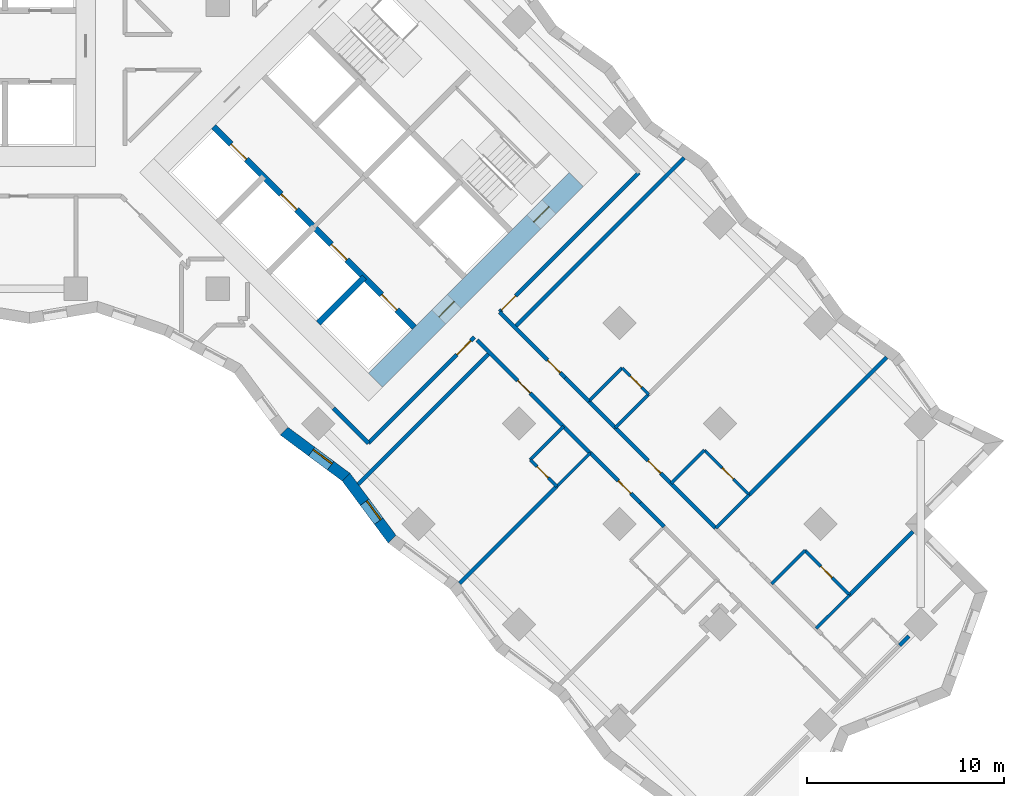
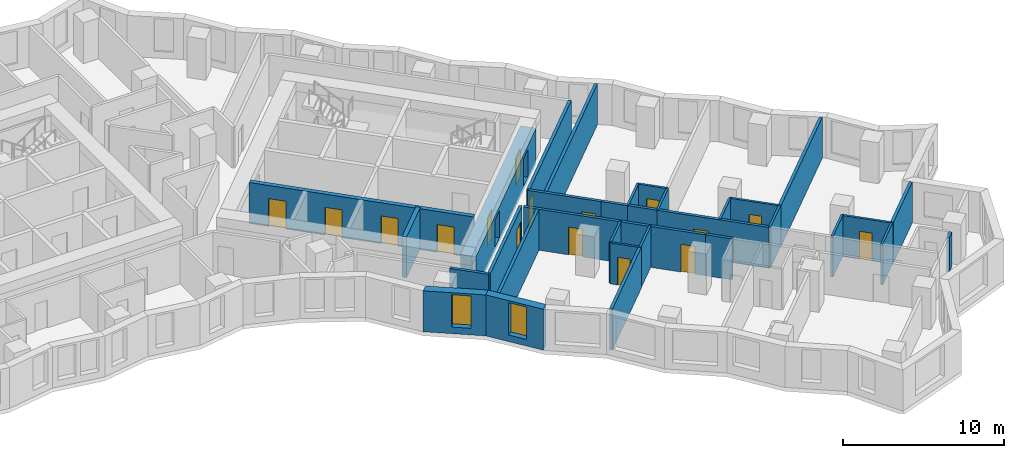
# One storey, part 8 of 12: 33 walls, 16 doors, 2 windows, 18 openings.
"""IFC4 building model written with IfcOpenShell, lengths in metres."""

import ifcopenshell
import ifcopenshell.guid

model = None  # the IFC model being written
_history = None  # IfcOwnerHistory: only IFC2X3 demands one
_inside = {}  # id of a spatial element -> (the spatial element, [elements in it])
_under = {}  # id of a project, library or spatial element -> (it, [spatial elements below it])
_declared = {}  # id of a project -> (the project, [libraries it declares])
_typed = {}  # id of a type object -> (the type object, [elements of that type])
_made_of = {}  # id of a material, layer set ... -> (it, [elements and type objects made of it])


def new_model(schema):
    """Start an empty IFC model of exactly this schema.

    Asked for "IFC4X3", IfcOpenShell would pick the latest addendum, in which some entities
    have other attributes; the version numbers below select the first issue.
    IFC2X3 requires an IfcOwnerHistory on every rooted entity: one is made here for all.
    """
    global model, _history
    if schema == "IFC4X3":
        model = ifcopenshell.file(schema_version=(4, 3, 0, 0))
    else:
        model = ifcopenshell.file(schema=schema)
    _inside.clear()
    _under.clear()
    _declared.clear()
    _typed.clear()
    _made_of.clear()
    _history = None
    if model.schema == "IFC2X3":
        org = make("IfcOrganization", Name="unknown")
        user = make(
            "IfcPersonAndOrganization",
            ThePerson=make("IfcPerson", FamilyName="unknown"),
            TheOrganization=org,
        )
        app = make(
            "IfcApplication",
            ApplicationDeveloper=org,
            Version="unknown",
            ApplicationFullName="unknown",
            ApplicationIdentifier="unknown",
        )
        _history = make(
            "IfcOwnerHistory",
            OwningUser=user,
            OwningApplication=app,
            ChangeAction="ADDED",
            CreationDate=0,
        )
    return model


def make(cls, **values):
    """One entity of the class cls with the attributes given. An attribute that is None is left unset."""
    return model.create_entity(
        cls, **{name: value for name, value in values.items() if value is not None}
    )


def rooted(cls, **values):
    """An entity with a GlobalId (a new one), such as an element, a storey or a relation."""
    return make(cls, GlobalId=ifcopenshell.guid.new(), OwnerHistory=_history, **values)


def si_unit(unit_type, name, prefix=None):
    """IfcSIUnit, for example si_unit("LENGTHUNIT", "METRE", prefix="MILLI")."""
    return make("IfcSIUnit", UnitType=unit_type, Prefix=prefix, Name=name)


def assignment(units):
    """IfcUnitAssignment: the units of a project."""
    return None if units is None else make("IfcUnitAssignment", Units=units)


def point(xyz):
    """IfcCartesianPoint."""
    return None if xyz is None else make("IfcCartesianPoint", Coordinates=xyz)


def direction(xyz):
    """IfcDirection."""
    return None if xyz is None else make("IfcDirection", DirectionRatios=xyz)


def frame(location, z_axis=None, x_axis=None):
    """IfcAxis2Placement3D, a coordinate frame: its origin and axes. An axis left out is left unset."""
    return make(
        "IfcAxis2Placement3D",
        Location=point(location),
        Axis=direction(z_axis),
        RefDirection=direction(x_axis),
    )


def frame_2d(location, x_axis=None):
    """IfcAxis2Placement2D, a coordinate frame in the plane: its origin and x axis."""
    return make(
        "IfcAxis2Placement2D", Location=point(location), RefDirection=direction(x_axis)
    )


def origin():
    """The frame at (0, 0, 0) with its axes left unset."""
    return frame((0.0, 0.0, 0.0))


def place(relative_to, where):
    """IfcLocalPlacement: puts the frame where relative to a parent placement (None: the world)."""
    return make(
        "IfcLocalPlacement", PlacementRelTo=relative_to, RelativePlacement=where
    )


def context(
    kind, dimensions, precision=None, world=None, true_north=None, identifier=None
):
    """IfcGeometricRepresentationContext, for example the 3D "Model" context."""
    return make(
        "IfcGeometricRepresentationContext",
        ContextIdentifier=identifier,
        ContextType=kind,
        CoordinateSpaceDimension=dimensions,
        Precision=precision,
        WorldCoordinateSystem=world,
        TrueNorth=true_north,
    )


def subcontext(parent, identifier, kind, view, scale=None):
    """IfcGeometricRepresentationSubContext, for example "Body" below "Model"."""
    return make(
        "IfcGeometricRepresentationSubContext",
        ContextIdentifier=identifier,
        ContextType=kind,
        ParentContext=parent,
        TargetScale=scale,
        TargetView=view,
    )


def project(units=None, contexts=None):
    """IfcProject with its units and contexts."""
    return rooted(
        "IfcProject",
        Name="project",
        RepresentationContexts=contexts,
        UnitsInContext=assignment(units),
    )


def spatial(cls, under=None, at=None, **own):
    """A site, building, storey or space (cls), placed at a placement, below another one or the project."""
    s = rooted(cls, ObjectPlacement=at, **own)
    if under is not None:
        _under.setdefault(under.id(), (under, []))[1].append(s)
    return s


def polyline(points):
    """IfcPolyline through the points."""
    return make("IfcPolyline", Points=[point(p) for p in points])


def profile(cls, at=None, kind="AREA", **sizes):
    """A parametric profile (cls). Its sizes go by their IFC names, for example OverallWidth=200.0."""
    return make(cls, ProfileType=kind, Position=at, **sizes)


def rectangle(**sizes):
    """IfcRectangleProfileDef."""
    return profile("IfcRectangleProfileDef", **sizes)


def outline(outer, holes=None, kind="AREA"):
    """IfcArbitraryClosedProfileDef: a profile drawn as a closed curve; with holes, ...WithVoids."""
    if holes is None:
        return make("IfcArbitraryClosedProfileDef", ProfileType=kind, OuterCurve=outer)
    return make(
        "IfcArbitraryProfileDefWithVoids",
        ProfileType=kind,
        OuterCurve=outer,
        InnerCurves=holes,
    )


def extrude(swept, where, along, depth):
    """IfcExtrudedAreaSolid: the profile swept, set in the frame where, extruded along a direction by depth."""
    return make(
        "IfcExtrudedAreaSolid",
        SweptArea=swept,
        Position=where,
        ExtrudedDirection=direction(along),
        Depth=depth,
    )


def shape(context_of_items, identifier, shape_type, items):
    """IfcShapeRepresentation: the items that make up one representation, for example the "Body"."""
    return make(
        "IfcShapeRepresentation",
        ContextOfItems=context_of_items,
        RepresentationIdentifier=identifier,
        RepresentationType=shape_type,
        Items=items,
    )


def material(Name=None, Category=None):
    """IfcMaterial."""
    return make("IfcMaterial", Name=Name, Category=Category)


def layer(
    of_material, thickness, ventilated=None, Name=None, Category=None, Priority=None
):
    """IfcMaterialLayer: one layer of a wall or slab, of a material (None: an air gap)."""
    return make(
        "IfcMaterialLayer",
        Material=of_material,
        LayerThickness=thickness,
        IsVentilated=ventilated,
        Name=Name,
        Category=Category,
        Priority=Priority,
    )


def layer_set(layers, Name=None):
    """IfcMaterialLayerSet."""
    return make("IfcMaterialLayerSet", MaterialLayers=layers, LayerSetName=Name)


def made_of(thing, what):
    """Note that an element or type object is made of a material, layer set ...; save() writes the relation."""
    if what is not None:
        _made_of.setdefault(what.id(), (what, []))[1].append(thing)
    return thing


def type_object(cls, material=None, **own):
    """A type object (cls), such as IfcWallType, which elements share."""
    return made_of(rooted(cls, **own), material)


def element(
    cls,
    number,
    at=None,
    inside=None,
    cuts=None,
    type_object=None,
    material=None,
    context=None,
    identifier="Body",
    shape_type=None,
    held_by="IfcProductDefinitionShape",
    body=None,
    shapes=None,
    **own,
):
    """One element of the class cls, such as IfcWall. Its Tag is "e" and its number.

    at: its placement. inside: the storey or other place that contains it. cuts: it is an
    opening in that element (IfcRelVoidsElement). A single representation is given by context,
    identifier, shape_type and body (its items); several are given by shapes. held_by: the class
    of the entity that holds the representations. save() writes the other relations.
    """
    e = rooted(cls, Tag="e%d" % number, ObjectPlacement=at, **own)
    if body is not None:
        shapes = [shape(context, identifier, shape_type, body)]
    if shapes is not None:
        e.Representation = make(held_by, Representations=shapes)
    if inside is not None:
        _inside.setdefault(inside.id(), (inside, []))[1].append(e)
    if cuts is not None:
        rooted(
            "IfcRelVoidsElement", RelatingBuildingElement=cuts, RelatedOpeningElement=e
        )
    if type_object is not None:
        _typed.setdefault(type_object.id(), (type_object, []))[1].append(e)
    return made_of(e, material)


def fill(opening, filler):
    """IfcRelFillsElement: the door or window that sits in an opening."""
    return rooted(
        "IfcRelFillsElement",
        RelatingOpeningElement=opening,
        RelatedBuildingElement=filler,
    )


def aggregate(whole, parts):
    """IfcRelAggregates: a whole, such as a stair, and the parts it consists of."""
    return rooted("IfcRelAggregates", RelatingObject=whole, RelatedObjects=parts)


def save(model, path):
    """Write the relations noted so far, then the file.

    IfcRelAggregates (storeys below a building ...), IfcRelContainedInSpatialStructure (elements
    in a storey), IfcRelDefinesByType, IfcRelAssociatesMaterial and IfcRelDeclares: one each for
    every whole, place, type object, material and project.
    """
    for whole, parts in _under.values():
        aggregate(whole, parts)
    for where, things in _inside.values():
        rooted(
            "IfcRelContainedInSpatialStructure",
            RelatedElements=things,
            RelatingStructure=where,
        )
    for kind, things in _typed.values():
        rooted("IfcRelDefinesByType", RelatedObjects=things, RelatingType=kind)
    for what, things in _made_of.values():
        rooted("IfcRelAssociatesMaterial", RelatedObjects=things, RelatingMaterial=what)
    for by, libraries in _declared.values():
        rooted("IfcRelDeclares", RelatingContext=by, RelatedDefinitions=libraries)
    model.write(path)


model = new_model("IFC4")

# Units and contexts
model_context = context("Model", 3, precision=1e-05, world=origin(), true_north=direction((0.0, 1.0)))
body_context = subcontext(model_context, "Body", "Model", "MODEL_VIEW")
ifc_project = project(units=[si_unit("LENGTHUNIT", "METRE"), si_unit("AREAUNIT", "SQUARE_METRE"), si_unit("VOLUMEUNIT", "CUBIC_METRE"), si_unit("PLANEANGLEUNIT", "RADIAN"), si_unit("MASSUNIT", "GRAM", prefix="KILO")], contexts=[model_context])

# Site, building, storey
site_placement = place(None, origin())
site = spatial("IfcSite", under=ifc_project, at=site_placement, CompositionType="ELEMENT")
building_placement = place(site_placement, origin())
building = spatial("IfcBuilding", under=site, at=building_placement, Name="Windrow Commons", CompositionType="ELEMENT")
storey_placement = place(building_placement, frame((0.0, 0.0, 57.6)))
storey = spatial("IfcBuildingStorey", under=building, at=storey_placement, Name="L15", CompositionType="ELEMENT", Elevation=57.6)

# Wall, opening, window
ifc_material_1 = material(Name="Brick masonry, red clay brick", Category="masonry")
ifc_layer_1 = layer(ifc_material_1, 0.55)
ifc_layer_set_1 = layer_set([ifc_layer_1], Name="Brick facade wall 550")
wall_type_1 = type_object("IfcWallType", Name="Brick facade wall 550", PredefinedType="SOLIDWALL", material=ifc_layer_set_1)
wall_1_placement = place(storey_placement, frame((82.5626, 35.9775, 0.0), z_axis=(0.0, 0.0, 1.0), x_axis=(0.8029207709, -0.596085762, 0.0)))
wall_1 = element("IfcWall", 1, at=wall_1_placement, inside=storey, type_object=wall_type_1, Name="Brick facade wall L15 56", PredefinedType="SOLIDWALL", context=body_context, shape_type="SweptSolid", body=[
    extrude(outline(polyline([(-0.0407, -0.275), (3.8702, -0.275), (3.9515, 0.275), (0.0407, 0.275), (-0.0407, -0.275)])), origin(), (0.0, 0.0, 1.0), 3.1),
])
opening_1_placement = place(wall_1_placement, frame((1.7359, 0.0, 0.5)))
opening_1 = element("IfcOpeningElement", 2, at=opening_1_placement, cuts=wall_1, Name="Opening W7D", PredefinedType="OPENING", context=body_context, shape_type="SweptSolid", body=[
    extrude(rectangle(XDim=1.2, YDim=2.45, at=frame_2d((0.6, 1.225))), frame((0.0, 0.285, 0.0), z_axis=(0.0, -1.0, 0.0), x_axis=(1.0, 0.0, 0.0)), (0.0, 0.0, 1.0), 0.57),
])
ifc_material_2 = material(Name="Clear float glass in anodised aluminium frame", Category="aluminium")
window_type = type_object("IfcWindowType", Name="Window W7 notch 1200x2450", PartitioningType="SINGLE_PANEL", PredefinedType="WINDOW", material=ifc_material_2)
window_1_placement = place(opening_1_placement, origin())
window_1 = element("IfcWindow", 3, at=window_1_placement, inside=storey, type_object=window_type, Name="Window L15 56.1", OverallHeight=2.45, OverallWidth=1.2, PartitioningType="SINGLE_PANEL", PredefinedType="WINDOW", context=body_context, shape_type="SweptSolid", body=[
    extrude(rectangle(XDim=1.2, YDim=2.45, at=frame_2d((0.6, 1.225))), frame((0.0, 0.155, 0.0), z_axis=(0.0, -1.0, 0.0), x_axis=(1.0, 0.0, 0.0)), (0.0, 0.0, 1.0), 0.06),
])
fill(opening_1, window_1)

wall_2_placement = place(storey_placement, frame((85.7027, 33.6463, 0.0), z_axis=(0.0, 0.0, 1.0), x_axis=(0.596085762, -0.8029207709, 0.0)))
wall_2 = element("IfcWall", 4, at=wall_2_placement, inside=storey, type_object=wall_type_1, Name="Brick facade wall L15 57", PredefinedType="SOLIDWALL", context=body_context, shape_type="SweptSolid", body=[
    extrude(outline(polyline([(0.0407, -0.275), (3.9515, -0.275), (3.8702, 0.275), (-0.0407, 0.275), (0.0407, -0.275)])), origin(), (0.0, 0.0, 1.0), 3.1),
])
opening_2_placement = place(wall_2_placement, frame((1.5797, 0.0, 0.5)))
opening_2 = element("IfcOpeningElement", 5, at=opening_2_placement, cuts=wall_2, Name="Opening W7D", PredefinedType="OPENING", context=body_context, shape_type="SweptSolid", body=[
    extrude(rectangle(XDim=1.2, YDim=2.45, at=frame_2d((0.6, 1.225))), frame((0.0, 0.285, 0.0), z_axis=(0.0, -1.0, 0.0), x_axis=(1.0, 0.0, 0.0)), (0.0, 0.0, 1.0), 0.57),
])
window_2_placement = place(opening_2_placement, origin())
window_2 = element("IfcWindow", 6, at=window_2_placement, inside=storey, type_object=window_type, Name="Window L15 57.1", OverallHeight=2.45, OverallWidth=1.2, PartitioningType="SINGLE_PANEL", PredefinedType="WINDOW", context=body_context, shape_type="SweptSolid", body=[
    extrude(rectangle(XDim=1.2, YDim=2.45, at=frame_2d((0.6, 1.225))), frame((0.0, 0.155, 0.0), z_axis=(0.0, -1.0, 0.0), x_axis=(1.0, 0.0, 0.0)), (0.0, 0.0, 1.0), 0.06),
])
fill(opening_2, window_2)

# Wall, opening, door
ifc_material_3 = material(Name="Blockwork partition", Category="masonry")
ifc_layer_2 = layer(ifc_material_3, 0.2)
ifc_layer_set_2 = layer_set([ifc_layer_2], Name="IW-CORRIDOR-200")
wall_type_2 = type_object("IfcWallType", Name="IW-CORRIDOR-200", PredefinedType="PARTITIONING", material=ifc_layer_set_2)
wall_3_placement = place(storey_placement, frame((93.4836, 42.0204, 0.0), z_axis=(0.0, 0.0, 1.0), x_axis=(0.7071067812, 0.7071067812, 0.0)))
wall_3 = element("IfcWall", 7, at=wall_3_placement, inside=storey, type_object=wall_type_2, Name="W-L15-W010", PredefinedType="PARTITIONING", context=body_context, shape_type="SweptSolid", body=[
    extrude(rectangle(XDim=9.9985, YDim=0.2, at=frame_2d((4.9992, 0.0))), origin(), (0.0, 0.0, 1.0), 3.1),
])
opening_3_placement = place(wall_3_placement, frame((0.1485, 0.0, 0.0)))
opening_3 = element("IfcOpeningElement", 8, at=opening_3_placement, cuts=wall_3, Name="Opening D310F", PredefinedType="OPENING", context=body_context, shape_type="SweptSolid", body=[
    extrude(rectangle(XDim=1.0, YDim=2.1, at=frame_2d((0.5, 1.05))), frame((0.0, 0.11, 0.0), z_axis=(0.0, -1.0, 0.0), x_axis=(1.0, 0.0, 0.0)), (0.0, 0.0, 1.0), 0.22),
])
ifc_material_4 = material(Name="Timber door leaf", Category="wood")
door_type_1 = type_object("IfcDoorType", Name="DT-AMENITY-1000", OperationType="SINGLE_SWING_LEFT", PredefinedType="DOOR", material=ifc_material_4)
door_1_placement = place(opening_3_placement, origin())
door_1 = element("IfcDoor", 9, at=door_1_placement, inside=storey, type_object=door_type_1, Name="D-L15-D039", OperationType="SINGLE_SWING_LEFT", OverallHeight=2.1, OverallWidth=1.0, PredefinedType="DOOR", context=body_context, shape_type="SweptSolid", body=[
    extrude(rectangle(XDim=1.0, YDim=2.1, at=frame_2d((0.5, 1.05))), frame((0.0, 0.025, 0.0), z_axis=(0.0, -1.0, 0.0), x_axis=(1.0, 0.0, 0.0)), (0.0, 0.0, 1.0), 0.05),
])
fill(opening_3, door_1)

wall_4_placement = place(storey_placement, frame((92.3491, 40.6011, 0.0), z_axis=(0.0, 0.0, 1.0), x_axis=(0.7071067812, -0.7071067812, 0.0)))
wall_4 = element("IfcWall", 10, at=wall_4_placement, inside=storey, type_object=wall_type_2, Name="W-L15-W018", PredefinedType="PARTITIONING", context=body_context, shape_type="SweptSolid", body=[
    extrude(rectangle(XDim=8.1006, YDim=0.2, at=frame_2d((4.0503, 0.0))), origin(), (0.0, 0.0, 1.0), 3.1),
])
opening_4_placement = place(wall_4_placement, frame((2.9093, 0.0, 0.0)))
opening_4 = element("IfcOpeningElement", 11, at=opening_4_placement, cuts=wall_4, Name="Opening D109F", PredefinedType="OPENING", context=body_context, shape_type="SweptSolid", body=[
    extrude(rectangle(XDim=0.9, YDim=2.1, at=frame_2d((0.45, 1.05))), frame((0.0, 0.11, 0.0), z_axis=(0.0, -1.0, 0.0), x_axis=(1.0, 0.0, 0.0)), (0.0, 0.0, 1.0), 0.22),
])
ifc_material_5 = material(Name="Timber door leaf", Category="wood")
door_type_2 = type_object("IfcDoorType", Name="DT-BEDROOM-900", OperationType="SINGLE_SWING_LEFT", PredefinedType="DOOR", material=ifc_material_5)
door_2_placement = place(opening_4_placement, origin())
door_2 = element("IfcDoor", 12, at=door_2_placement, inside=storey, type_object=door_type_2, Name="D-L15-D047", OperationType="SINGLE_SWING_LEFT", OverallHeight=2.1, OverallWidth=0.9, PredefinedType="DOOR", context=body_context, shape_type="SweptSolid", body=[
    extrude(rectangle(XDim=0.9, YDim=2.1, at=frame_2d((0.45, 1.05))), frame((0.0, 0.025, 0.0), z_axis=(0.0, -1.0, 0.0), x_axis=(1.0, 0.0, 0.0)), (0.0, 0.0, 1.0), 0.05),
])
fill(opening_4, door_2)

wall_5_placement = place(storey_placement, frame((86.8356, 35.3724, 0.0), z_axis=(0.0, 0.0, 1.0), x_axis=(0.7071067812, 0.7071067812, 0.0)))
wall_5 = element("IfcWall", 13, at=wall_5_placement, inside=storey, type_object=wall_type_2, Name="W-L15-W019", PredefinedType="PARTITIONING", context=body_context, shape_type="SweptSolid", body=[
    extrude(rectangle(XDim=7.6, YDim=0.2, at=frame_2d((3.8, 0.0))), origin(), (0.0, 0.0, 1.0), 3.1),
])
opening_5_placement = place(wall_5_placement, frame((6.3422, 0.0, 0.0)))
opening_5 = element("IfcOpeningElement", 14, at=opening_5_placement, cuts=wall_5, Name="Opening D310F", PredefinedType="OPENING", context=body_context, shape_type="SweptSolid", body=[
    extrude(rectangle(XDim=1.0, YDim=2.1, at=frame_2d((0.5, 1.05))), frame((0.0, 0.11, 0.0), z_axis=(0.0, -1.0, 0.0), x_axis=(1.0, 0.0, 0.0)), (0.0, 0.0, 1.0), 0.22),
])
door_3_placement = place(opening_5_placement, origin())
door_3 = element("IfcDoor", 15, at=door_3_placement, inside=storey, type_object=door_type_1, Name="D-L15-D046", OperationType="SINGLE_SWING_RIGHT", OverallHeight=2.1, OverallWidth=1.0, PredefinedType="DOOR", context=body_context, shape_type="SweptSolid", body=[
    extrude(rectangle(XDim=1.0, YDim=2.1, at=frame_2d((0.5, 1.05))), frame((0.0, 0.025, 0.0), z_axis=(0.0, -1.0, 0.0), x_axis=(1.0, 0.0, 0.0)), (0.0, 0.0, 1.0), 0.05),
])
fill(opening_5, door_3)

wall_6_placement = place(storey_placement, frame((99.3489, 36.1469, 0.0), z_axis=(0.0, 0.0, 1.0), x_axis=(0.7071067812, -0.7071067812, 0.0)))
wall_6 = element("IfcWall", 16, at=wall_6_placement, inside=storey, type_object=wall_type_2, Name="W-L15-W020", PredefinedType="PARTITIONING", context=body_context, shape_type="SweptSolid", body=[
    extrude(rectangle(XDim=7.2012, YDim=0.2, at=frame_2d((3.6006, 0.0))), origin(), (0.0, 0.0, 1.0), 3.1),
])
opening_6_placement = place(wall_6_placement, frame((2.3576, 0.0, 0.0)))
opening_6 = element("IfcOpeningElement", 17, at=opening_6_placement, cuts=wall_6, Name="Opening D109F", PredefinedType="OPENING", context=body_context, shape_type="SweptSolid", body=[
    extrude(rectangle(XDim=0.9, YDim=2.1, at=frame_2d((0.45, 1.05))), frame((0.0, 0.11, 0.0), z_axis=(0.0, -1.0, 0.0), x_axis=(1.0, 0.0, 0.0)), (0.0, 0.0, 1.0), 0.22),
])
door_4_placement = place(opening_6_placement, origin())
door_4 = element("IfcDoor", 18, at=door_4_placement, inside=storey, type_object=door_type_2, Name="D-L15-D042", OperationType="SINGLE_SWING_RIGHT", OverallHeight=2.1, OverallWidth=0.9, PredefinedType="DOOR", context=body_context, shape_type="SweptSolid", body=[
    extrude(rectangle(XDim=0.9, YDim=2.1, at=frame_2d((0.45, 1.05))), frame((0.0, 0.025, 0.0), z_axis=(0.0, -1.0, 0.0), x_axis=(1.0, 0.0, 0.0)), (0.0, 0.0, 1.0), 0.05),
])
fill(opening_6, door_4)

wall_7_placement = place(storey_placement, frame((93.4809, 42.0149, 0.0), z_axis=(0.0, 0.0, 1.0), x_axis=(0.7071067812, -0.7071067812, 0.0)))
wall_7 = element("IfcWall", 19, at=wall_7_placement, inside=storey, type_object=wall_type_2, Name="W-L15-W040", PredefinedType="PARTITIONING", context=body_context, shape_type="SweptSolid", body=[
    extrude(rectangle(XDim=4.698, YDim=0.2, at=frame_2d((2.349, 0.0))), origin(), (0.0, 0.0, 1.0), 3.1),
])
opening_7_placement = place(wall_7_placement, frame((3.4523, 0.0, 0.0)))
opening_7 = element("IfcOpeningElement", 20, at=opening_7_placement, cuts=wall_7, Name="Opening D109F", PredefinedType="OPENING", context=body_context, shape_type="SweptSolid", body=[
    extrude(rectangle(XDim=0.9, YDim=2.1, at=frame_2d((0.45, 1.05))), frame((0.0, 0.11, 0.0), z_axis=(0.0, -1.0, 0.0), x_axis=(1.0, 0.0, 0.0)), (0.0, 0.0, 1.0), 0.22),
])
door_5_placement = place(opening_7_placement, origin())
door_5 = element("IfcDoor", 21, at=door_5_placement, inside=storey, type_object=door_type_2, Name="D-L15-D040", OperationType="SINGLE_SWING_RIGHT", OverallHeight=2.1, OverallWidth=0.9, PredefinedType="DOOR", context=body_context, shape_type="SweptSolid", body=[
    extrude(rectangle(XDim=0.9, YDim=2.1, at=frame_2d((0.45, 1.05))), frame((0.0, 0.025, 0.0), z_axis=(0.0, -1.0, 0.0), x_axis=(1.0, 0.0, 0.0)), (0.0, 0.0, 1.0), 0.05),
])
fill(opening_7, door_5)

wall_8_placement = place(storey_placement, frame((98.0825, 34.8785, 0.0), z_axis=(0.0, 0.0, 1.0), x_axis=(0.7073845681, -0.7068288851, 0.0)))
wall_8 = element("IfcWall", 22, at=wall_8_placement, inside=storey, type_object=wall_type_2, Name="W-L15-W055", PredefinedType="PARTITIONING", context=body_context, shape_type="SweptSolid", body=[
    extrude(rectangle(XDim=3.5992, YDim=0.2, at=frame_2d((1.7996, 0.0))), origin(), (0.0, 0.0, 1.0), 3.1),
])
opening_8_placement = place(wall_8_placement, frame((2.0087, 0.0, 0.0)))
opening_8 = element("IfcOpeningElement", 23, at=opening_8_placement, cuts=wall_8, Name="Opening D109F", PredefinedType="OPENING", context=body_context, shape_type="SweptSolid", body=[
    extrude(rectangle(XDim=0.9, YDim=2.1, at=frame_2d((0.45, 1.05))), frame((0.0, 0.11, 0.0), z_axis=(0.0, -1.0, 0.0), x_axis=(1.0, 0.0, 0.0)), (0.0, 0.0, 1.0), 0.22),
])
door_6_placement = place(opening_8_placement, origin())
door_6 = element("IfcDoor", 24, at=door_6_placement, inside=storey, type_object=door_type_2, Name="D-L15-D049", OperationType="SINGLE_SWING_LEFT", OverallHeight=2.1, OverallWidth=0.9, PredefinedType="DOOR", context=body_context, shape_type="SweptSolid", body=[
    extrude(rectangle(XDim=0.9, YDim=2.1, at=frame_2d((0.45, 1.05))), frame((0.0, 0.025, 0.0), z_axis=(0.0, -1.0, 0.0), x_axis=(1.0, 0.0, 0.0)), (0.0, 0.0, 1.0), 0.05),
])
fill(opening_8, door_6)

# Walls
wall_9_placement = place(storey_placement, frame((85.0651, 37.1371, 0.0), z_axis=(0.0, 0.0, 1.0), x_axis=(0.7071067812, -0.7071067812, 0.0)))
element("IfcWall", 25, at=wall_9_placement, inside=storey, type_object=wall_type_2, Name="W-L15-W069", PredefinedType="PARTITIONING", context=body_context, shape_type="SweptSolid", body=[
    extrude(rectangle(XDim=2.5003, YDim=0.2, at=frame_2d((1.2502, 0.0))), origin(), (0.0, 0.0, 1.0), 3.1),
])
wall_10_placement = place(storey_placement, frame((98.0117, 37.4957, 0.0), z_axis=(0.0, 0.0, 1.0), x_axis=(0.7065800724, -0.7076330979, 0.0)))
element("IfcWall", 26, at=wall_10_placement, inside=storey, type_object=wall_type_2, Name="W-L15-W125", PredefinedType="PARTITIONING", context=body_context, shape_type="SweptSolid", body=[
    extrude(rectangle(XDim=1.8993, YDim=0.2, at=frame_2d((0.9496, 0.0))), origin(), (0.0, 0.0, 1.0), 3.1),
])
wall_11_placement = place(storey_placement, frame((96.8059, 38.6959, 0.0), z_axis=(0.0, 0.0, 1.0), x_axis=(0.7076943229, -0.7065187509, 0.0)))
element("IfcWall", 27, at=wall_11_placement, inside=storey, type_object=wall_type_2, Name="W-L15-W135", PredefinedType="PARTITIONING", context=body_context, shape_type="SweptSolid", body=[
    extrude(rectangle(XDim=1.7013, YDim=0.2, at=frame_2d((0.8507, 0.0))), origin(), (0.0, 0.0, 1.0), 3.1),
])
wall_12_placement = place(storey_placement, frame((100.6292, 32.3352, 0.0), z_axis=(0.0, 0.0, 1.0), x_axis=(0.7071067812, -0.7071067812, 0.0)))
element("IfcWall", 28, at=wall_12_placement, inside=storey, type_object=wall_type_2, Name="W-L15-W140", PredefinedType="PARTITIONING", context=body_context, shape_type="SweptSolid", body=[
    extrude(rectangle(XDim=1.6999, YDim=0.2, at=frame_2d((0.8499, 0.0))), origin(), (0.0, 0.0, 1.0), 3.1),
])

# Wall, opening, door
ifc_material_6 = material(Name="Blockwork partition", Category="masonry")
ifc_layer_3 = layer(ifc_material_6, 0.15)
ifc_layer_set_3 = layer_set([ifc_layer_3], Name="IW-ENSUITE-150")
wall_type_3 = type_object("IfcWallType", Name="IW-ENSUITE-150", PredefinedType="PARTITIONING", material=ifc_layer_set_3)
wall_13_placement = place(storey_placement, frame((108.9697, 29.9277, 0.0), z_axis=(0.0, 0.0, 1.0), x_axis=(0.7067942478, -0.7074191764, 0.0)))
wall_13 = element("IfcWall", 29, at=wall_13_placement, inside=storey, type_object=wall_type_3, Name="W-L15-W058", PredefinedType="PARTITIONING", context=body_context, shape_type="SweptSolid", body=[
    extrude(rectangle(XDim=3.2004, YDim=0.15, at=frame_2d((1.6002, 0.0))), origin(), (0.0, 0.0, 1.0), 3.1),
])
opening_9_placement = place(wall_13_placement, frame((1.148, 0.0, 0.0)))
opening_9 = element("IfcOpeningElement", 30, at=opening_9_placement, cuts=wall_13, Name="Opening D208N", PredefinedType="OPENING", context=body_context, shape_type="SweptSolid", body=[
    extrude(rectangle(XDim=0.8, YDim=2.1, at=frame_2d((0.4, 1.05))), frame((0.0, 0.085, 0.0), z_axis=(0.0, -1.0, 0.0), x_axis=(1.0, 0.0, 0.0)), (0.0, 0.0, 1.0), 0.17),
])
ifc_material_7 = material(Name="Timber door leaf", Category="wood")
door_type_3 = type_object("IfcDoorType", Name="DT-ENSUITE-800", OperationType="SINGLE_SWING_LEFT", PredefinedType="DOOR", material=ifc_material_7)
door_7_placement = place(opening_9_placement, origin())
door_7 = element("IfcDoor", 31, at=door_7_placement, inside=storey, type_object=door_type_3, Name="D-L15-D045", OperationType="SINGLE_SWING_RIGHT", OverallHeight=2.1, OverallWidth=0.8, PredefinedType="DOOR", context=body_context, shape_type="SweptSolid", body=[
    extrude(rectangle(XDim=0.8, YDim=2.1, at=frame_2d((0.4, 1.05))), frame((0.0, 0.025, 0.0), z_axis=(0.0, -1.0, 0.0), x_axis=(1.0, 0.0, 0.0)), (0.0, 0.0, 1.0), 0.05),
])
fill(opening_9, door_7)

wall_14_placement = place(storey_placement, frame((103.875, 35.015, 0.0), z_axis=(0.0, 0.0, 1.0), x_axis=(0.7071067812, -0.7071067812, 0.0)))
wall_14 = element("IfcWall", 32, at=wall_14_placement, inside=storey, type_object=wall_type_3, Name="W-L15-W063", PredefinedType="PARTITIONING", context=body_context, shape_type="SweptSolid", body=[
    extrude(rectangle(XDim=3.199, YDim=0.15, at=frame_2d((1.5995, 0.0))), origin(), (0.0, 0.0, 1.0), 3.1),
])
opening_10_placement = place(wall_14_placement, frame((1.2701, 0.0, 0.0)))
opening_10 = element("IfcOpeningElement", 33, at=opening_10_placement, cuts=wall_14, Name="Opening D208N", PredefinedType="OPENING", context=body_context, shape_type="SweptSolid", body=[
    extrude(rectangle(XDim=0.8, YDim=2.1, at=frame_2d((0.4, 1.05))), frame((0.0, 0.085, 0.0), z_axis=(0.0, -1.0, 0.0), x_axis=(1.0, 0.0, 0.0)), (0.0, 0.0, 1.0), 0.17),
])
door_8_placement = place(opening_10_placement, origin())
door_8 = element("IfcDoor", 34, at=door_8_placement, inside=storey, type_object=door_type_3, Name="D-L15-D043", OperationType="SINGLE_SWING_RIGHT", OverallHeight=2.1, OverallWidth=0.8, PredefinedType="DOOR", context=body_context, shape_type="SweptSolid", body=[
    extrude(rectangle(XDim=0.8, YDim=2.1, at=frame_2d((0.4, 1.05))), frame((0.0, 0.025, 0.0), z_axis=(0.0, -1.0, 0.0), x_axis=(1.0, 0.0, 0.0)), (0.0, 0.0, 1.0), 0.05),
])
fill(opening_10, door_8)

# Walls
wall_15_placement = place(storey_placement, frame((107.2712, 28.2308, 0.0), z_axis=(0.0, 0.0, 1.0), x_axis=(0.7071067812, 0.7071067812, 0.0)))
element("IfcWall", 35, at=wall_15_placement, inside=storey, type_object=wall_type_3, Name="W-L15-W072", PredefinedType="PARTITIONING", context=body_context, shape_type="SweptSolid", body=[
    extrude(rectangle(XDim=2.4013, YDim=0.15, at=frame_2d((1.2006, 0.0))), origin(), (0.0, 0.0, 1.0), 3.1),
])
for number, where, z_axis, x_axis, name in (
    (36, (96.3844, 33.1776, 0.0), (0.0, 0.0, 1.0), (0.7075233388, 0.706689978, 0.0), "W-L15-W098"),
    (37, (99.3491, 36.1529, 0.0), (0.0, 0.0, 1.0), (0.7075233388, 0.706689978, 0.0), "W-L15-W099"),
    (38, (104.4453, 31.0567, 0.0), (0.0, 0.0, 1.0), (0.706689978, 0.7075233388, 0.0), "W-L15-W100"),
    (39, (102.1775, 33.3245, 0.0), (0.0, 0.0, 1.0), (0.7075233388, 0.706689978, 0.0), "W-L15-W103"),
    (40, (109.5314, 25.9706, 0.0), (0.0, 0.0, 1.0), (0.7075233388, 0.706689978, 0.0), "W-L15-W104"),
):
    element("IfcWall", number, at=place(storey_placement, frame(where, z_axis=z_axis, x_axis=x_axis)), inside=storey, type_object=wall_type_3, Name=name, PredefinedType="PARTITIONING", context=body_context, shape_type="SweptSolid", body=[
        extrude(rectangle(XDim=2.3999, YDim=0.15, at=frame_2d((1.2, 0.0))), origin(), (0.0, 0.0, 1.0), 3.1),
    ])
for number, where, z_axis, x_axis, name in (
    (41, (95.0391, 34.5249, 0.0), (0.0, 0.0, 1.0), (0.7071067812, 0.7071067812, 0.0), "W-L15-W106"),
    (42, (98.0091, 37.4949, 0.0), (0.0, 0.0, 1.0), (0.7071067812, 0.7071067812, 0.0), "W-L15-W108"),
):
    element("IfcWall", number, at=place(storey_placement, frame(where, z_axis=z_axis, x_axis=x_axis)), inside=storey, type_object=wall_type_3, Name=name, PredefinedType="PARTITIONING", context=body_context, shape_type="SweptSolid", body=[
        extrude(rectangle(XDim=2.3985, YDim=0.15, at=frame_2d((1.1992, 0.0))), origin(), (0.0, 0.0, 1.0), 3.1),
    ])

# Wall, opening, door
wall_16_placement = place(storey_placement, frame((99.703, 39.187, 0.0), z_axis=(0.0, 0.0, 1.0), x_axis=(0.7071067812, -0.7071067812, 0.0)))
wall_16 = element("IfcWall", 43, at=wall_16_placement, inside=storey, type_object=wall_type_3, Name="W-L15-W115", PredefinedType="PARTITIONING", context=body_context, shape_type="SweptSolid", body=[
    extrude(rectangle(XDim=1.9007, YDim=0.15, at=frame_2d((0.9504, 0.0))), origin(), (0.0, 0.0, 1.0), 3.1),
])
opening_11_placement = place(wall_16_placement, frame((0.5838, 0.0, 0.0)))
opening_11 = element("IfcOpeningElement", 44, at=opening_11_placement, cuts=wall_16, Name="Opening D208N", PredefinedType="OPENING", context=body_context, shape_type="SweptSolid", body=[
    extrude(rectangle(XDim=0.8, YDim=2.1, at=frame_2d((0.4, 1.05))), frame((0.0, 0.085, 0.0), z_axis=(0.0, -1.0, 0.0), x_axis=(1.0, 0.0, 0.0)), (0.0, 0.0, 1.0), 0.17),
])
door_9_placement = place(opening_11_placement, origin())
door_9 = element("IfcDoor", 45, at=door_9_placement, inside=storey, type_object=door_type_3, Name="D-L15-D041", OperationType="SINGLE_SWING_RIGHT", OverallHeight=2.1, OverallWidth=0.8, PredefinedType="DOOR", context=body_context, shape_type="SweptSolid", body=[
    extrude(rectangle(XDim=0.8, YDim=2.1, at=frame_2d((0.4, 1.05))), frame((0.0, 0.025, 0.0), z_axis=(0.0, -1.0, 0.0), x_axis=(1.0, 0.0, 0.0)), (0.0, 0.0, 1.0), 0.05),
])
fill(opening_11, door_9)

wall_17_placement = place(storey_placement, frame((95.0418, 34.5258, 0.0), z_axis=(0.0, 0.0, 1.0), x_axis=(0.7065800724, -0.7076330979, 0.0)))
wall_17 = element("IfcWall", 46, at=wall_17_placement, inside=storey, type_object=wall_type_3, Name="W-L15-W126", PredefinedType="PARTITIONING", context=body_context, shape_type="SweptSolid", body=[
    extrude(rectangle(XDim=1.8993, YDim=0.15, at=frame_2d((0.9496, 0.0))), origin(), (0.0, 0.0, 1.0), 3.1),
])
opening_12_placement = place(wall_17_placement, frame((0.4911, 0.0, 0.0)))
opening_12 = element("IfcOpeningElement", 47, at=opening_12_placement, cuts=wall_17, Name="Opening D208N", PredefinedType="OPENING", context=body_context, shape_type="SweptSolid", body=[
    extrude(rectangle(XDim=0.8, YDim=2.1, at=frame_2d((0.4, 1.05))), frame((0.0, 0.085, 0.0), z_axis=(0.0, -1.0, 0.0), x_axis=(1.0, 0.0, 0.0)), (0.0, 0.0, 1.0), 0.17),
])
door_10_placement = place(opening_12_placement, origin())
door_10 = element("IfcDoor", 48, at=door_10_placement, inside=storey, type_object=door_type_3, Name="D-L15-D048", OperationType="SINGLE_SWING_RIGHT", OverallHeight=2.1, OverallWidth=0.8, PredefinedType="DOOR", context=body_context, shape_type="SweptSolid", body=[
    extrude(rectangle(XDim=0.8, YDim=2.1, at=frame_2d((0.4, 1.05))), frame((0.0, 0.025, 0.0), z_axis=(0.0, -1.0, 0.0), x_axis=(1.0, 0.0, 0.0)), (0.0, 0.0, 1.0), 0.05),
])
fill(opening_12, door_10)

# Walls
ifc_material_8 = material(Name="Blockwork partition", Category="masonry")
ifc_layer_4 = layer(ifc_material_8, 0.2)
ifc_layer_set_4 = layer_set([ifc_layer_4], Name="IW-PARTY-200")
wall_type_4 = type_object("IfcWallType", Name="IW-PARTY-200", PredefinedType="PARTITIONING", material=ifc_layer_set_4)
wall_18_placement = place(storey_placement, frame((94.2593, 41.2427, 0.0), z_axis=(0.0, 0.0, 1.0), x_axis=(0.7070203602, 0.7071931916, 0.0)))
element("IfcWall", 49, at=wall_18_placement, inside=storey, type_object=wall_type_4, Name="W-L15-W006", PredefinedType="PARTITIONING", context=body_context, shape_type="SweptSolid", body=[
    extrude(rectangle(XDim=12.1506, YDim=0.2, at=frame_2d((6.0753, 0.0))), origin(), (0.0, 0.0, 1.0), 3.1),
])
wall_19_placement = place(storey_placement, frame((106.1398, 32.7562, 0.0), z_axis=(0.0, 0.0, 1.0), x_axis=(0.7071067812, 0.7071067812, 0.0)))
element("IfcWall", 50, at=wall_19_placement, inside=storey, type_object=wall_type_4, Name="W-L15-W012", PredefinedType="PARTITIONING", context=body_context, shape_type="SweptSolid", body=[
    extrude(rectangle(XDim=9.86, YDim=0.2, at=frame_2d((4.93, 0.0))), origin(), (0.0, 0.0, 1.0), 3.1),
])
wall_20_placement = place(storey_placement, frame((86.3136, 33.2847, 0.0), z_axis=(0.0, 0.0, 1.0), x_axis=(0.7069956063, 0.7072179386, 0.0)))
element("IfcWall", 51, at=wall_20_placement, inside=storey, type_object=wall_type_4, Name="W-L15-W015", PredefinedType="PARTITIONING", context=body_context, shape_type="SweptSolid", body=[
    extrude(rectangle(XDim=9.4453, YDim=0.2, at=frame_2d((4.7226, 0.0))), origin(), (0.0, 0.0, 1.0), 3.1),
])
wall_21_placement = place(storey_placement, frame((91.4567, 28.2555, 0.0), z_axis=(0.0, 0.0, 1.0), x_axis=(0.7071067812, 0.7071067812, 0.0)))
element("IfcWall", 52, at=wall_21_placement, inside=storey, type_object=wall_type_4, Name="W-L15-W026", PredefinedType="PARTITIONING", context=body_context, shape_type="SweptSolid", body=[
    extrude(rectangle(XDim=6.9649, YDim=0.2, at=frame_2d((3.4825, 0.0))), origin(), (0.0, 0.0, 1.0), 3.1),
])
wall_22_placement = place(storey_placement, frame((111.2309, 27.6651, 0.0), z_axis=(0.0, 0.0, 1.0), x_axis=(0.7071067812, 0.7071067812, 0.0)))
element("IfcWall", 53, at=wall_22_placement, inside=storey, type_object=wall_type_4, Name="W-L15-W044", PredefinedType="PARTITIONING", context=body_context, shape_type="SweptSolid", body=[
    extrude(rectangle(XDim=4.5502, YDim=0.2, at=frame_2d((2.2751, 0.0))), origin(), (0.0, 0.0, 1.0), 3.1),
])
wall_23_placement = place(storey_placement, frame((113.7745, 25.1215, 0.0), z_axis=(0.0, 0.0, 1.0), x_axis=(0.705571267, 0.7086389682, 0.0)))
element("IfcWall", 54, at=wall_23_placement, inside=storey, type_object=wall_type_4, Name="W-L15-W153", PredefinedType="PARTITIONING", context=body_context, shape_type="SweptSolid", body=[
    extrude(rectangle(XDim=0.652, YDim=0.2, at=frame_2d((0.326, 0.0))), origin(), (0.0, 0.0, 1.0), 2.6),
])

# Wall, openings, doors
ifc_material_9 = material(Name="Concrete C60/75", Category="concrete")
ifc_layer_5 = layer(ifc_material_9, 1.0)
ifc_layer_set_5 = layer_set([ifc_layer_5], Name="RC CORE WALL 1000 C60/75")
wall_type_5 = type_object("IfcWallType", Name="RC CORE WALL 1000 C60/75", PredefinedType="SHEAR", material=ifc_layer_set_5)
wall_24_placement = place(storey_placement, frame((87.1903, 38.5538, -0.3), z_axis=(0.0, 0.0, 1.0), x_axis=(0.707103309, 0.7071102534, 0.0)))
wall_24 = element("IfcWall", 55, at=wall_24_placement, inside=storey, type_object=wall_type_5, Name="Core B wall outer-E", PredefinedType="SHEAR", context=body_context, shape_type="SweptSolid", body=[
    extrude(rectangle(XDim=14.4, YDim=1.0, at=frame_2d((7.2, 0.0))), origin(), (0.0, 0.0, 1.0), 2.7),
])
opening_13_placement = place(wall_24_placement, frame((4.55, 0.0, 0.3)))
opening_13 = element("IfcOpeningElement", 56, at=opening_13_placement, cuts=wall_24, Name="Opening D6", PredefinedType="OPENING", context=body_context, shape_type="SweptSolid", body=[
    extrude(rectangle(XDim=1.1, YDim=2.1, at=frame_2d((0.55, 1.05))), frame((0.0, 0.51, 0.0), z_axis=(0.0, -1.0, 0.0), x_axis=(1.0, 0.0, 0.0)), (0.0, 0.0, 1.0), 1.02),
])
opening_14_placement = place(wall_24_placement, frame((11.35, 0.0, 0.3)))
opening_14 = element("IfcOpeningElement", 57, at=opening_14_placement, cuts=wall_24, Name="Opening D7", PredefinedType="OPENING", context=body_context, shape_type="SweptSolid", body=[
    extrude(rectangle(XDim=1.1, YDim=2.1, at=frame_2d((0.55, 1.05))), frame((0.0, 0.51, 0.0), z_axis=(0.0, -1.0, 0.0), x_axis=(1.0, 0.0, 0.0)), (0.0, 0.0, 1.0), 1.02),
])
ifc_material_10 = material(Name="Steel fire door leaf", Category="steel")
door_type_4 = type_object("IfcDoorType", Name="Core lobby door 1100", OperationType="SINGLE_SWING_LEFT", PredefinedType="DOOR", material=ifc_material_10)
door_11_placement = place(opening_13_placement, origin())
door_11 = element("IfcDoor", 58, at=door_11_placement, inside=storey, type_object=door_type_4, Name="Lift lobby door", OperationType="DOUBLE_DOOR_SINGLE_SWING", OverallHeight=2.1, OverallWidth=1.1, PredefinedType="DOOR", context=body_context, shape_type="SweptSolid", body=[
    extrude(rectangle(XDim=1.1, YDim=2.1, at=frame_2d((0.55, 1.05))), frame((0.0, 0.025, 0.0), z_axis=(0.0, -1.0, 0.0), x_axis=(1.0, 0.0, 0.0)), (0.0, 0.0, 1.0), 0.05),
])
fill(opening_13, door_11)
ifc_material_11 = material(Name="Steel fire door leaf", Category="steel")
door_type_5 = type_object("IfcDoorType", Name="Stair door 1100", OperationType="SINGLE_SWING_LEFT", PredefinedType="DOOR", material=ifc_material_11)
door_12_placement = place(opening_14_placement, origin())
door_12 = element("IfcDoor", 59, at=door_12_placement, inside=storey, type_object=door_type_5, Name="Stair door", OperationType="SINGLE_SWING_RIGHT", OverallHeight=2.1, OverallWidth=1.1, PredefinedType="DOOR", context=body_context, shape_type="SweptSolid", body=[
    extrude(rectangle(XDim=1.1, YDim=2.1, at=frame_2d((0.55, 1.05))), frame((0.0, 0.025, 0.0), z_axis=(0.0, -1.0, 0.0), x_axis=(1.0, 0.0, 0.0)), (0.0, 0.0, 1.0), 0.05),
])
fill(opening_14, door_12)

# Wall
ifc_material_12 = material(Name="Concrete C60/75", Category="concrete")
ifc_layer_6 = layer(ifc_material_12, 0.3)
ifc_layer_set_6 = layer_set([ifc_layer_6], Name="RC SHAFT WALL 300 C60/75")
wall_type_6 = type_object("IfcWallType", Name="RC SHAFT WALL 300 C60/75", PredefinedType="SOLIDWALL", material=ifc_layer_set_6)
wall_25_placement = place(storey_placement, frame((84.2912, 41.453, 0.0), z_axis=(0.0, 0.0, 1.0), x_axis=(0.7071067812, 0.7071067812, 0.0)))
element("IfcWall", 60, at=wall_25_placement, inside=storey, type_object=wall_type_6, Name="Core B wall shaft-S3", PredefinedType="SOLIDWALL", context=body_context, shape_type="SweptSolid", body=[
    extrude(rectangle(XDim=3.2999, YDim=0.3, at=frame_2d((1.65, 0.0))), origin(), (0.0, 0.0, 1.0), 3.1),
])

# Wall, openings, doors
wall_26_placement = place(storey_placement, frame((78.9879, 51.4232, 0.0), z_axis=(0.0, 0.0, 1.0), x_axis=(0.7071067812, -0.7071067812, 0.0)))
wall_26 = element("IfcWall", 61, at=wall_26_placement, inside=storey, type_object=wall_type_6, Name="Core B wall lobby-S", PredefinedType="SOLIDWALL", context=body_context, shape_type="SweptSolid", body=[
    extrude(rectangle(XDim=14.3999, YDim=0.3, at=frame_2d((7.2, 0.0))), origin(), (0.0, 0.0, 1.0), 3.1),
])
opening_15_placement = place(wall_26_placement, frame((1.25, 0.0, 0.0)))
opening_15 = element("IfcOpeningElement", 62, at=opening_15_placement, cuts=wall_26, Name="Opening LD", PredefinedType="OPENING", context=body_context, shape_type="SweptSolid", body=[
    extrude(rectangle(XDim=1.1, YDim=2.1, at=frame_2d((0.55, 1.05))), frame((0.0, 0.16, 0.0), z_axis=(0.0, -1.0, 0.0), x_axis=(1.0, 0.0, 0.0)), (0.0, 0.0, 1.0), 0.32),
])
opening_16_placement = place(wall_26_placement, frame((4.85, 0.0, 0.0)))
opening_16 = element("IfcOpeningElement", 63, at=opening_16_placement, cuts=wall_26, Name="Opening LD", PredefinedType="OPENING", context=body_context, shape_type="SweptSolid", body=[
    extrude(rectangle(XDim=1.1, YDim=2.1, at=frame_2d((0.55, 1.05))), frame((0.0, 0.16, 0.0), z_axis=(0.0, -1.0, 0.0), x_axis=(1.0, 0.0, 0.0)), (0.0, 0.0, 1.0), 0.32),
])
opening_17_placement = place(wall_26_placement, frame((8.45, 0.0, 0.0)))
opening_17 = element("IfcOpeningElement", 64, at=opening_17_placement, cuts=wall_26, Name="Opening LD", PredefinedType="OPENING", context=body_context, shape_type="SweptSolid", body=[
    extrude(rectangle(XDim=1.1, YDim=2.1, at=frame_2d((0.55, 1.05))), frame((0.0, 0.16, 0.0), z_axis=(0.0, -1.0, 0.0), x_axis=(1.0, 0.0, 0.0)), (0.0, 0.0, 1.0), 0.32),
])
opening_18_placement = place(wall_26_placement, frame((12.05, 0.0, 0.0)))
opening_18 = element("IfcOpeningElement", 65, at=opening_18_placement, cuts=wall_26, Name="Opening LD", PredefinedType="OPENING", context=body_context, shape_type="SweptSolid", body=[
    extrude(rectangle(XDim=1.1, YDim=2.1, at=frame_2d((0.55, 1.05))), frame((0.0, 0.16, 0.0), z_axis=(0.0, -1.0, 0.0), x_axis=(1.0, 0.0, 0.0)), (0.0, 0.0, 1.0), 0.32),
])
ifc_material_13 = material(Name="Stainless steel door leaf", Category="steel")
door_type_6 = type_object("IfcDoorType", Name="Lift landing door 1100", OperationType="SLIDING_TO_LEFT", PredefinedType="DOOR", material=ifc_material_13)
door_13_placement = place(opening_15_placement, origin())
door_13 = element("IfcDoor", 66, at=door_13_placement, inside=storey, type_object=door_type_6, Name="Lift landing door", OperationType="SLIDING_TO_LEFT", OverallHeight=2.1, OverallWidth=1.1, PredefinedType="DOOR", context=body_context, shape_type="SweptSolid", body=[
    extrude(rectangle(XDim=1.1, YDim=2.1, at=frame_2d((0.55, 1.05))), frame((0.0, 0.025, 0.0), z_axis=(0.0, -1.0, 0.0), x_axis=(1.0, 0.0, 0.0)), (0.0, 0.0, 1.0), 0.05),
])
fill(opening_15, door_13)
door_14_placement = place(opening_16_placement, origin())
door_14 = element("IfcDoor", 67, at=door_14_placement, inside=storey, type_object=door_type_6, Name="Lift landing door", OperationType="SLIDING_TO_RIGHT", OverallHeight=2.1, OverallWidth=1.1, PredefinedType="DOOR", context=body_context, shape_type="SweptSolid", body=[
    extrude(rectangle(XDim=1.1, YDim=2.1, at=frame_2d((0.55, 1.05))), frame((0.0, 0.025, 0.0), z_axis=(0.0, -1.0, 0.0), x_axis=(1.0, 0.0, 0.0)), (0.0, 0.0, 1.0), 0.05),
])
fill(opening_16, door_14)
door_15_placement = place(opening_17_placement, origin())
door_15 = element("IfcDoor", 68, at=door_15_placement, inside=storey, type_object=door_type_6, Name="Lift landing door", OperationType="SLIDING_TO_LEFT", OverallHeight=2.1, OverallWidth=1.1, PredefinedType="DOOR", context=body_context, shape_type="SweptSolid", body=[
    extrude(rectangle(XDim=1.1, YDim=2.1, at=frame_2d((0.55, 1.05))), frame((0.0, 0.025, 0.0), z_axis=(0.0, -1.0, 0.0), x_axis=(1.0, 0.0, 0.0)), (0.0, 0.0, 1.0), 0.05),
])
fill(opening_17, door_15)
door_16_placement = place(opening_18_placement, origin())
door_16 = element("IfcDoor", 69, at=door_16_placement, inside=storey, type_object=door_type_6, Name="Lift landing door", OperationType="SLIDING_TO_RIGHT", OverallHeight=2.1, OverallWidth=1.1, PredefinedType="DOOR", context=body_context, shape_type="SweptSolid", body=[
    extrude(rectangle(XDim=1.1, YDim=2.1, at=frame_2d((0.55, 1.05))), frame((0.0, 0.025, 0.0), z_axis=(0.0, -1.0, 0.0), x_axis=(1.0, 0.0, 0.0)), (0.0, 0.0, 1.0), 0.05),
])
fill(opening_18, door_16)

save(model, "model.ifc")
